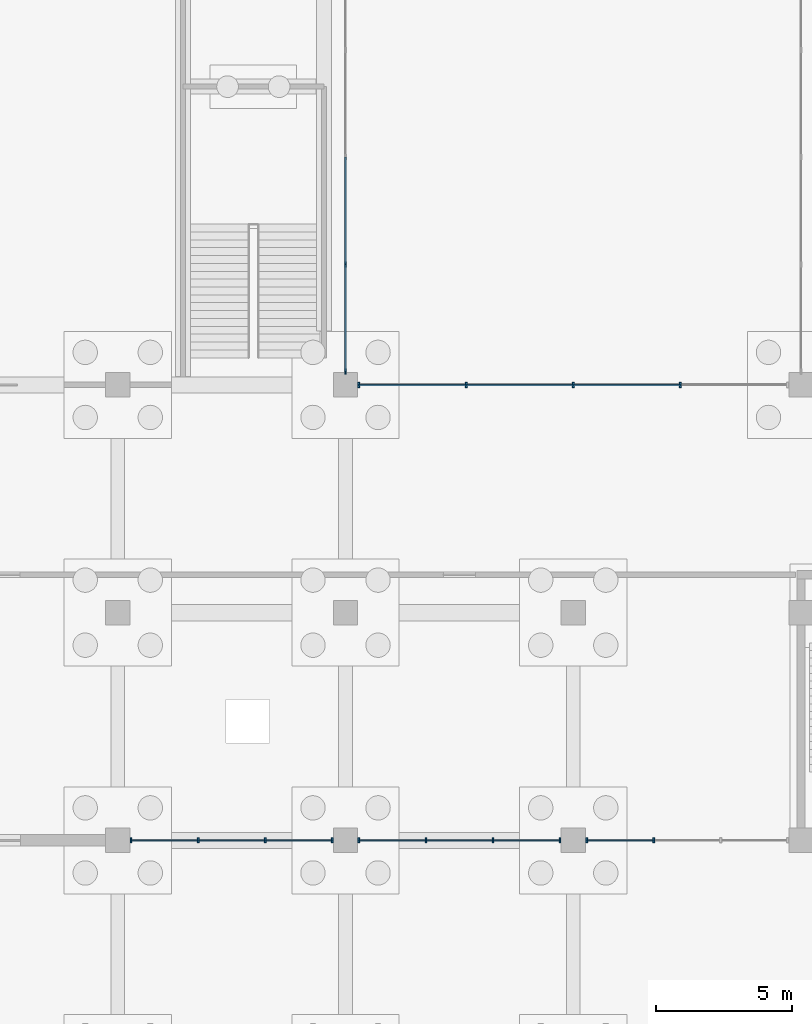
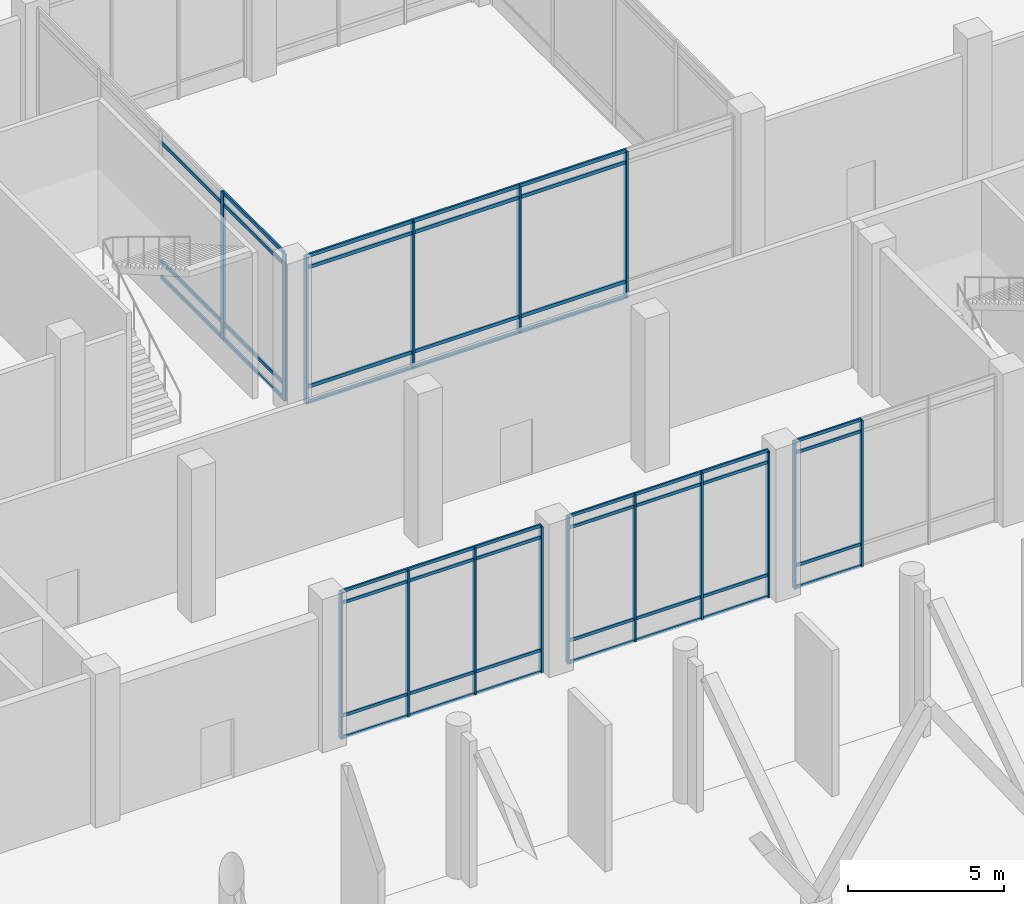
# One storey, part 16 of 72: 63 members, 5 elements without a shape of their own.
"""IFC4 building model written with IfcOpenShell, lengths in metres."""

from ifc_helpers import new_model, si_unit, direction, frame, origin, origin_2d, place, context, subcontext, project, spatial, rectangle, extrude, material, layer, layer_set, material_profile, profile_set, type_object, element, aggregate, save


model = new_model("IFC4")

# Units and contexts
model_context = context("Model", 3, precision=1e-05, world=origin(), true_north=direction((0.0, 1.0)))
body_context = subcontext(model_context, "Body", "Model", "MODEL_VIEW")
ifc_project = project(units=[si_unit("LENGTHUNIT", "METRE"), si_unit("AREAUNIT", "SQUARE_METRE"), si_unit("VOLUMEUNIT", "CUBIC_METRE"), si_unit("PLANEANGLEUNIT", "RADIAN"), si_unit("MASSUNIT", "GRAM", prefix="KILO")], contexts=[model_context])

# Site, building, storey
site_placement = place(None, origin())
site = spatial("IfcSite", under=ifc_project, at=site_placement, CompositionType="ELEMENT")
building_placement = place(site_placement, origin())
building = spatial("IfcBuilding", under=site, at=building_placement, Name="Qawsi Khor Wholesale Market", CompositionType="ELEMENT")
storey_placement = place(building_placement, origin())
storey = spatial("IfcBuildingStorey", under=building, at=storey_placement, Name="L00", CompositionType="ELEMENT", Elevation=0.0)

# Curtain wall, members
ifc_material = material(Name="Aluminium Anodised Bronze", Category="aluminium")
ifc_layer_1 = layer(ifc_material, 0.159912109375, Name="Aluminium Anodised Bronze")
ifc_layer_set_1 = layer_set([ifc_layer_1], Name="Aluminium Anodised Bronze")
curtain_wall_type_1 = type_object("IfcCurtainWallType", Name="Boulevard Arcade Glazed Curtain Wall CW-01", PredefinedType="NOTDEFINED", material=ifc_layer_set_1)
curtain_wall_1_placement = place(storey_placement, origin())
curtain_wall_1 = element("IfcCurtainWall", 1, at=curtain_wall_1_placement, inside=storey, type_object=curtain_wall_type_1, Name="Curtain wall CW-CW-01-L00-001", PredefinedType="NOTDEFINED")
ifc_material_profile_1 = material_profile(ifc_material, rectangle(XDim=0.06494140625, YDim=0.179931640625, at=origin_2d()), Name="ALU MULLION 65x180")
ifc_profile_set_1 = profile_set([ifc_material_profile_1], Name="Aluminium Anodised Bronze")
member_type_1 = type_object("IfcMemberType", Name="Curtain Wall Mullion CW-01 ALU MULLION 65x180", PredefinedType="MULLION", material=ifc_profile_set_1)
member_1_placement = place(storey_placement, frame((42.492431640625, 8.39990234375, -0.02001953125), z_axis=(0.0, 0.0, 1.0), x_axis=(1.0, 0.0, 0.0)))
member_1 = element("IfcMember", 2, at=member_1_placement, type_object=member_type_1, Name="Mullion CW-CW-01-L00-001-M00", PredefinedType="MULLION", context=body_context, shape_type="SweptSolid", body=[
    extrude(rectangle(XDim=0.06494140625, YDim=0.179931640625, at=origin_2d()), origin(), (0.0, 0.0, 1.0), 5.739990234375),
])
member_2_placement = place(storey_placement, frame((44.964111328125, 8.39990234375, -0.02001953125), z_axis=(0.0, 0.0, 1.0), x_axis=(1.0, 0.0, 0.0)))
member_2 = element("IfcMember", 3, at=member_2_placement, type_object=member_type_1, Name="Mullion CW-CW-01-L00-001-M01", PredefinedType="MULLION", context=body_context, shape_type="SweptSolid", body=[
    extrude(rectangle(XDim=0.06494140625, YDim=0.179931640625, at=origin_2d()), origin(), (0.0, 0.0, 1.0), 5.739990234375),
])
member_3_placement = place(storey_placement, frame((47.435791015625, 8.39990234375, -0.02001953125), z_axis=(0.0, 0.0, 1.0), x_axis=(1.0, 0.0, 0.0)))
member_3 = element("IfcMember", 4, at=member_3_placement, type_object=member_type_1, Name="Mullion CW-CW-01-L00-001-M02", PredefinedType="MULLION", context=body_context, shape_type="SweptSolid", body=[
    extrude(rectangle(XDim=0.06494140625, YDim=0.179931640625, at=origin_2d()), origin(), (0.0, 0.0, 1.0), 5.739990234375),
])
member_4_placement = place(storey_placement, frame((49.907470703125, 8.39990234375, -0.02001953125), z_axis=(0.0, 0.0, 1.0), x_axis=(1.0, 0.0, 0.0)))
member_4 = element("IfcMember", 5, at=member_4_placement, type_object=member_type_1, Name="Mullion CW-CW-01-L00-001-M03", PredefinedType="MULLION", context=body_context, shape_type="SweptSolid", body=[
    extrude(rectangle(XDim=0.06494140625, YDim=0.179931640625, at=origin_2d()), origin(), (0.0, 0.0, 1.0), 5.739990234375),
])

curtain_wall_2_placement = place(storey_placement, origin())
curtain_wall_2 = element("IfcCurtainWall", 6, at=curtain_wall_2_placement, inside=storey, type_object=curtain_wall_type_1, Name="Curtain wall CW-CW-01-L00-002", PredefinedType="NOTDEFINED")
member_5_placement = place(storey_placement, frame((50.892578125, 8.39990234375, -0.02001953125), z_axis=(0.0, 0.0, 1.0), x_axis=(1.0, 0.0, 0.0)))
member_5 = element("IfcMember", 7, at=member_5_placement, type_object=member_type_1, Name="Mullion CW-CW-01-L00-002-M00", PredefinedType="MULLION", context=body_context, shape_type="SweptSolid", body=[
    extrude(rectangle(XDim=0.06494140625, YDim=0.179931640625, at=origin_2d()), origin(), (0.0, 0.0, 1.0), 5.739990234375),
])
member_6_placement = place(storey_placement, frame((53.3642578125, 8.39990234375, -0.02001953125), z_axis=(0.0, 0.0, 1.0), x_axis=(1.0, 0.0, 0.0)))
member_6 = element("IfcMember", 8, at=member_6_placement, type_object=member_type_1, Name="Mullion CW-CW-01-L00-002-M01", PredefinedType="MULLION", context=body_context, shape_type="SweptSolid", body=[
    extrude(rectangle(XDim=0.06494140625, YDim=0.179931640625, at=origin_2d()), origin(), (0.0, 0.0, 1.0), 5.739990234375),
])
member_7_placement = place(storey_placement, frame((55.835693359375, 8.39990234375, -0.02001953125), z_axis=(0.0, 0.0, 1.0), x_axis=(1.0, 0.0, 0.0)))
member_7 = element("IfcMember", 9, at=member_7_placement, type_object=member_type_1, Name="Mullion CW-CW-01-L00-002-M02", PredefinedType="MULLION", context=body_context, shape_type="SweptSolid", body=[
    extrude(rectangle(XDim=0.06494140625, YDim=0.179931640625, at=origin_2d()), origin(), (0.0, 0.0, 1.0), 5.739990234375),
])
member_8_placement = place(storey_placement, frame((58.3076171875, 8.39990234375, -0.02001953125), z_axis=(0.0, 0.0, 1.0), x_axis=(1.0, 0.0, 0.0)))
member_8 = element("IfcMember", 10, at=member_8_placement, type_object=member_type_1, Name="Mullion CW-CW-01-L00-002-M03", PredefinedType="MULLION", context=body_context, shape_type="SweptSolid", body=[
    extrude(rectangle(XDim=0.06494140625, YDim=0.179931640625, at=origin_2d()), origin(), (0.0, 0.0, 1.0), 5.739990234375),
])

curtain_wall_3_placement = place(storey_placement, origin())
curtain_wall_3 = element("IfcCurtainWall", 11, at=curtain_wall_3_placement, inside=storey, type_object=curtain_wall_type_1, Name="Curtain wall CW-CW-01-L00-003", PredefinedType="NOTDEFINED")
member_9_placement = place(storey_placement, frame((59.29248046875, 8.39990234375, -0.02001953125), z_axis=(0.0, 0.0, 1.0), x_axis=(1.0, 0.0, 0.0)))
member_9 = element("IfcMember", 12, at=member_9_placement, type_object=member_type_1, Name="Mullion CW-CW-01-L00-003-M00", PredefinedType="MULLION", context=body_context, shape_type="SweptSolid", body=[
    extrude(rectangle(XDim=0.06494140625, YDim=0.179931640625, at=origin_2d()), origin(), (0.0, 0.0, 1.0), 5.739990234375),
])
member_10_placement = place(storey_placement, frame((61.76416015625, 8.39990234375, -0.02001953125), z_axis=(0.0, 0.0, 1.0), x_axis=(1.0, 0.0, 0.0)))
member_10 = element("IfcMember", 13, at=member_10_placement, type_object=member_type_1, Name="Mullion CW-CW-01-L00-003-M01", PredefinedType="MULLION", context=body_context, shape_type="SweptSolid", body=[
    extrude(rectangle(XDim=0.06494140625, YDim=0.179931640625, at=origin_2d()), origin(), (0.0, 0.0, 1.0), 5.739990234375),
])

ifc_layer_2 = layer(ifc_material, 0.179931640625, Name="Aluminium Anodised Bronze")
ifc_layer_set_2 = layer_set([ifc_layer_2], Name="Aluminium Anodised Bronze")
curtain_wall_type_2 = type_object("IfcCurtainWallType", Name="Atrium Full-Height Curtain Wall CW-02", PredefinedType="NOTDEFINED", material=ifc_layer_set_2)
curtain_wall_4_placement = place(storey_placement, origin())
curtain_wall_4 = element("IfcCurtainWall", 14, at=curtain_wall_4_placement, inside=storey, type_object=curtain_wall_type_2, Name="Curtain wall CW-CW-02-L00-011", PredefinedType="NOTDEFINED")
ifc_material_profile_2 = material_profile(ifc_material, rectangle(XDim=0.070068359375, YDim=0.199951171875, at=origin_2d()), Name="ALU MULLION 70x200")
ifc_profile_set_2 = profile_set([ifc_material_profile_2], Name="Aluminium Anodised Bronze")
member_type_2 = type_object("IfcMemberType", Name="Curtain Wall Mullion CW-02 ALU MULLION 70x200", PredefinedType="MULLION", material=ifc_profile_set_2)
member_11_placement = place(storey_placement, frame((50.89501953125, 25.199951171875, -0.02001953125), z_axis=(0.0, 0.0, 1.0), x_axis=(1.0, 0.0, 0.0)))
member_11 = element("IfcMember", 15, at=member_11_placement, type_object=member_type_2, Name="Mullion CW-CW-02-L00-011-M00", PredefinedType="MULLION", context=body_context, shape_type="SweptSolid", body=[
    extrude(rectangle(XDim=0.070068359375, YDim=0.199951171875, at=origin_2d()), origin(), (0.0, 0.0, 1.0), 5.739990234375),
])
member_12_placement = place(storey_placement, frame((54.847412109375, 25.199951171875, -0.02001953125), z_axis=(0.0, 0.0, 1.0), x_axis=(1.0, 0.0, 0.0)))
member_12 = element("IfcMember", 16, at=member_12_placement, type_object=member_type_2, Name="Mullion CW-CW-02-L00-011-M01", PredefinedType="MULLION", context=body_context, shape_type="SweptSolid", body=[
    extrude(rectangle(XDim=0.070068359375, YDim=0.199951171875, at=origin_2d()), origin(), (0.0, 0.0, 1.0), 5.739990234375),
])
member_13_placement = place(storey_placement, frame((58.800048828125, 25.199951171875, -0.02001953125), z_axis=(0.0, 0.0, 1.0), x_axis=(1.0, 0.0, 0.0)))
member_13 = element("IfcMember", 17, at=member_13_placement, type_object=member_type_2, Name="Mullion CW-CW-02-L00-011-M02", PredefinedType="MULLION", context=body_context, shape_type="SweptSolid", body=[
    extrude(rectangle(XDim=0.070068359375, YDim=0.199951171875, at=origin_2d()), origin(), (0.0, 0.0, 1.0), 5.739990234375),
])
member_14_placement = place(storey_placement, frame((62.75244140625, 25.199951171875, -0.02001953125), z_axis=(0.0, 0.0, 1.0), x_axis=(1.0, 0.0, 0.0)))
member_14 = element("IfcMember", 18, at=member_14_placement, type_object=member_type_2, Name="Mullion CW-CW-02-L00-011-M03", PredefinedType="MULLION", context=body_context, shape_type="SweptSolid", body=[
    extrude(rectangle(XDim=0.070068359375, YDim=0.199951171875, at=origin_2d()), origin(), (0.0, 0.0, 1.0), 5.739990234375),
])

curtain_wall_5_placement = place(storey_placement, origin())
curtain_wall_5 = element("IfcCurtainWall", 19, at=curtain_wall_5_placement, inside=storey, type_object=curtain_wall_type_2, Name="Curtain wall CW-CW-02-L00-014", PredefinedType="NOTDEFINED")
member_15_placement = place(storey_placement, frame((50.39990234375, 25.695068359375, -0.02001953125), z_axis=(0.0, 0.0, 1.0), x_axis=(1.0, 0.0, 0.0)))
member_15 = element("IfcMember", 20, at=member_15_placement, type_object=member_type_2, Name="Mullion CW-CW-02-L00-014-M00", PredefinedType="MULLION", context=body_context, shape_type="SweptSolid", body=[
    extrude(rectangle(XDim=0.070068359375, YDim=0.199951171875, at=origin_2d()), origin(), (0.0, 0.0, 1.0), 5.739990234375),
])
member_16_placement = place(storey_placement, frame((50.39990234375, 29.6474609375, -0.02001953125), z_axis=(0.0, 0.0, 1.0), x_axis=(1.0, 0.0, 0.0)))
member_16 = element("IfcMember", 21, at=member_16_placement, type_object=member_type_2, Name="Mullion CW-CW-02-L00-014-M01", PredefinedType="MULLION", context=body_context, shape_type="SweptSolid", body=[
    extrude(rectangle(XDim=0.070068359375, YDim=0.199951171875, at=origin_2d()), origin(), (0.0, 0.0, 1.0), 5.739990234375),
])

# Member
ifc_material_profile_3 = material_profile(ifc_material, rectangle(XDim=0.06005859375, YDim=0.1201171875, at=origin_2d()), Name="ALU TRANSOM 60x120")
ifc_profile_set_3 = profile_set([ifc_material_profile_3], Name="Aluminium Anodised Bronze")
member_type_3 = type_object("IfcMemberType", Name="Curtain Wall Transom CW-01 ALU TRANSOM 60x120", PredefinedType="USERDEFINED", material=ifc_profile_set_3)
member_17_placement = place(storey_placement, frame((42.492431640625, 8.39990234375, 0.0), z_axis=(1.0, 0.0, 0.0), x_axis=(0.0, 1.0, 0.0)))
member_17 = element("IfcMember", 22, at=member_17_placement, type_object=member_type_3, Name="Transom CW-CW-01-L00-001-T0_00", ObjectType="TRANSOM", PredefinedType="USERDEFINED", context=body_context, shape_type="SweptSolid", body=[
    extrude(rectangle(XDim=0.06005859375, YDim=0.1201171875, at=origin_2d()), origin(), (0.0, 0.0, 1.0), 2.4716796875),
])

member_18_placement = place(storey_placement, frame((44.964111328125, 8.39990234375, 0.0), z_axis=(1.0, 0.0, 0.0), x_axis=(0.0, 1.0, 0.0)))
member_18 = element("IfcMember", 23, at=member_18_placement, type_object=member_type_3, Name="Transom CW-CW-01-L00-001-T0_01", ObjectType="TRANSOM", PredefinedType="USERDEFINED", context=body_context, shape_type="SweptSolid", body=[
    extrude(rectangle(XDim=0.06005859375, YDim=0.1201171875, at=origin_2d()), origin(), (0.0, 0.0, 1.0), 2.4716796875),
])

member_19_placement = place(storey_placement, frame((47.435791015625, 8.39990234375, 0.0), z_axis=(1.0, 0.0, 0.0), x_axis=(0.0, 1.0, 0.0)))
member_19 = element("IfcMember", 24, at=member_19_placement, type_object=member_type_3, Name="Transom CW-CW-01-L00-001-T0_02", ObjectType="TRANSOM", PredefinedType="USERDEFINED", context=body_context, shape_type="SweptSolid", body=[
    extrude(rectangle(XDim=0.06005859375, YDim=0.1201171875, at=origin_2d()), origin(), (0.0, 0.0, 1.0), 2.4716796875),
])

member_20_placement = place(storey_placement, frame((42.492431640625, 8.39990234375, 0.85009765625), z_axis=(1.0, 0.0, 0.0), x_axis=(0.0, 1.0, 0.0)))
member_20 = element("IfcMember", 25, at=member_20_placement, type_object=member_type_3, Name="Transom CW-CW-01-L00-001-T1_00", ObjectType="TRANSOM", PredefinedType="USERDEFINED", context=body_context, shape_type="SweptSolid", body=[
    extrude(rectangle(XDim=0.06005859375, YDim=0.1201171875, at=origin_2d()), origin(), (0.0, 0.0, 1.0), 2.4716796875),
])

member_21_placement = place(storey_placement, frame((44.964111328125, 8.39990234375, 0.85009765625), z_axis=(1.0, 0.0, 0.0), x_axis=(0.0, 1.0, 0.0)))
member_21 = element("IfcMember", 26, at=member_21_placement, type_object=member_type_3, Name="Transom CW-CW-01-L00-001-T1_01", ObjectType="TRANSOM", PredefinedType="USERDEFINED", context=body_context, shape_type="SweptSolid", body=[
    extrude(rectangle(XDim=0.06005859375, YDim=0.1201171875, at=origin_2d()), origin(), (0.0, 0.0, 1.0), 2.4716796875),
])

member_22_placement = place(storey_placement, frame((47.435791015625, 8.39990234375, 0.85009765625), z_axis=(1.0, 0.0, 0.0), x_axis=(0.0, 1.0, 0.0)))
member_22 = element("IfcMember", 27, at=member_22_placement, type_object=member_type_3, Name="Transom CW-CW-01-L00-001-T1_02", ObjectType="TRANSOM", PredefinedType="USERDEFINED", context=body_context, shape_type="SweptSolid", body=[
    extrude(rectangle(XDim=0.06005859375, YDim=0.1201171875, at=origin_2d()), origin(), (0.0, 0.0, 1.0), 2.4716796875),
])

member_23_placement = place(storey_placement, frame((42.492431640625, 8.39990234375, 5.27001953125), z_axis=(1.0, 0.0, 0.0), x_axis=(0.0, 1.0, 0.0)))
member_23 = element("IfcMember", 28, at=member_23_placement, type_object=member_type_3, Name="Transom CW-CW-01-L00-001-T2_00", ObjectType="TRANSOM", PredefinedType="USERDEFINED", context=body_context, shape_type="SweptSolid", body=[
    extrude(rectangle(XDim=0.06005859375, YDim=0.1201171875, at=origin_2d()), origin(), (0.0, 0.0, 1.0), 2.4716796875),
])

member_24_placement = place(storey_placement, frame((44.964111328125, 8.39990234375, 5.27001953125), z_axis=(1.0, 0.0, 0.0), x_axis=(0.0, 1.0, 0.0)))
member_24 = element("IfcMember", 29, at=member_24_placement, type_object=member_type_3, Name="Transom CW-CW-01-L00-001-T2_01", ObjectType="TRANSOM", PredefinedType="USERDEFINED", context=body_context, shape_type="SweptSolid", body=[
    extrude(rectangle(XDim=0.06005859375, YDim=0.1201171875, at=origin_2d()), origin(), (0.0, 0.0, 1.0), 2.4716796875),
])

member_25_placement = place(storey_placement, frame((47.435791015625, 8.39990234375, 5.27001953125), z_axis=(1.0, 0.0, 0.0), x_axis=(0.0, 1.0, 0.0)))
member_25 = element("IfcMember", 30, at=member_25_placement, type_object=member_type_3, Name="Transom CW-CW-01-L00-001-T2_02", ObjectType="TRANSOM", PredefinedType="USERDEFINED", context=body_context, shape_type="SweptSolid", body=[
    extrude(rectangle(XDim=0.06005859375, YDim=0.1201171875, at=origin_2d()), origin(), (0.0, 0.0, 1.0), 2.4716796875),
])

member_26_placement = place(storey_placement, frame((42.492431640625, 8.39990234375, 5.719970703125), z_axis=(1.0, 0.0, 0.0), x_axis=(0.0, 1.0, 0.0)))
member_26 = element("IfcMember", 31, at=member_26_placement, type_object=member_type_3, Name="Transom CW-CW-01-L00-001-T3_00", ObjectType="TRANSOM", PredefinedType="USERDEFINED", context=body_context, shape_type="SweptSolid", body=[
    extrude(rectangle(XDim=0.06005859375, YDim=0.1201171875, at=origin_2d()), origin(), (0.0, 0.0, 1.0), 2.4716796875),
])

member_27_placement = place(storey_placement, frame((44.964111328125, 8.39990234375, 5.719970703125), z_axis=(1.0, 0.0, 0.0), x_axis=(0.0, 1.0, 0.0)))
member_27 = element("IfcMember", 32, at=member_27_placement, type_object=member_type_3, Name="Transom CW-CW-01-L00-001-T3_01", ObjectType="TRANSOM", PredefinedType="USERDEFINED", context=body_context, shape_type="SweptSolid", body=[
    extrude(rectangle(XDim=0.06005859375, YDim=0.1201171875, at=origin_2d()), origin(), (0.0, 0.0, 1.0), 2.4716796875),
])

member_28_placement = place(storey_placement, frame((47.435791015625, 8.39990234375, 5.719970703125), z_axis=(1.0, 0.0, 0.0), x_axis=(0.0, 1.0, 0.0)))
member_28 = element("IfcMember", 33, at=member_28_placement, type_object=member_type_3, Name="Transom CW-CW-01-L00-001-T3_02", ObjectType="TRANSOM", PredefinedType="USERDEFINED", context=body_context, shape_type="SweptSolid", body=[
    extrude(rectangle(XDim=0.06005859375, YDim=0.1201171875, at=origin_2d()), origin(), (0.0, 0.0, 1.0), 2.4716796875),
])

aggregate(curtain_wall_1, [member_1, member_2, member_3, member_4, member_17, member_18, member_19, member_20, member_21, member_22, member_23, member_24, member_25, member_26, member_27, member_28])

member_29_placement = place(storey_placement, frame((50.892578125, 8.39990234375, 0.0), z_axis=(1.0, 0.0, 0.0), x_axis=(0.0, 1.0, 0.0)))
member_29 = element("IfcMember", 34, at=member_29_placement, type_object=member_type_3, Name="Transom CW-CW-01-L00-002-T0_00", ObjectType="TRANSOM", PredefinedType="USERDEFINED", context=body_context, shape_type="SweptSolid", body=[
    extrude(rectangle(XDim=0.06005859375, YDim=0.1201171875, at=origin_2d()), origin(), (0.0, 0.0, 1.0), 2.4716796875),
])

member_30_placement = place(storey_placement, frame((53.3642578125, 8.39990234375, 0.0), z_axis=(1.0, 0.0, 0.0), x_axis=(0.0, 1.0, 0.0)))
member_30 = element("IfcMember", 35, at=member_30_placement, type_object=member_type_3, Name="Transom CW-CW-01-L00-002-T0_01", ObjectType="TRANSOM", PredefinedType="USERDEFINED", context=body_context, shape_type="SweptSolid", body=[
    extrude(rectangle(XDim=0.06005859375, YDim=0.1201171875, at=origin_2d()), origin(), (0.0, 0.0, 1.0), 2.471435546875),
])

member_31_placement = place(storey_placement, frame((55.835693359375, 8.39990234375, 0.0), z_axis=(1.0, 0.0, 0.0), x_axis=(0.0, 1.0, 0.0)))
member_31 = element("IfcMember", 36, at=member_31_placement, type_object=member_type_3, Name="Transom CW-CW-01-L00-002-T0_02", ObjectType="TRANSOM", PredefinedType="USERDEFINED", context=body_context, shape_type="SweptSolid", body=[
    extrude(rectangle(XDim=0.06005859375, YDim=0.1201171875, at=origin_2d()), origin(), (0.0, 0.0, 1.0), 2.471923828125),
])

member_32_placement = place(storey_placement, frame((50.892578125, 8.39990234375, 0.85009765625), z_axis=(1.0, 0.0, 0.0), x_axis=(0.0, 1.0, 0.0)))
member_32 = element("IfcMember", 37, at=member_32_placement, type_object=member_type_3, Name="Transom CW-CW-01-L00-002-T1_00", ObjectType="TRANSOM", PredefinedType="USERDEFINED", context=body_context, shape_type="SweptSolid", body=[
    extrude(rectangle(XDim=0.06005859375, YDim=0.1201171875, at=origin_2d()), origin(), (0.0, 0.0, 1.0), 2.4716796875),
])

member_33_placement = place(storey_placement, frame((53.3642578125, 8.39990234375, 0.85009765625), z_axis=(1.0, 0.0, 0.0), x_axis=(0.0, 1.0, 0.0)))
member_33 = element("IfcMember", 38, at=member_33_placement, type_object=member_type_3, Name="Transom CW-CW-01-L00-002-T1_01", ObjectType="TRANSOM", PredefinedType="USERDEFINED", context=body_context, shape_type="SweptSolid", body=[
    extrude(rectangle(XDim=0.06005859375, YDim=0.1201171875, at=origin_2d()), origin(), (0.0, 0.0, 1.0), 2.471435546875),
])

member_34_placement = place(storey_placement, frame((55.835693359375, 8.39990234375, 0.85009765625), z_axis=(1.0, 0.0, 0.0), x_axis=(0.0, 1.0, 0.0)))
member_34 = element("IfcMember", 39, at=member_34_placement, type_object=member_type_3, Name="Transom CW-CW-01-L00-002-T1_02", ObjectType="TRANSOM", PredefinedType="USERDEFINED", context=body_context, shape_type="SweptSolid", body=[
    extrude(rectangle(XDim=0.06005859375, YDim=0.1201171875, at=origin_2d()), origin(), (0.0, 0.0, 1.0), 2.471923828125),
])

member_35_placement = place(storey_placement, frame((50.892578125, 8.39990234375, 5.27001953125), z_axis=(1.0, 0.0, 0.0), x_axis=(0.0, 1.0, 0.0)))
member_35 = element("IfcMember", 40, at=member_35_placement, type_object=member_type_3, Name="Transom CW-CW-01-L00-002-T2_00", ObjectType="TRANSOM", PredefinedType="USERDEFINED", context=body_context, shape_type="SweptSolid", body=[
    extrude(rectangle(XDim=0.06005859375, YDim=0.1201171875, at=origin_2d()), origin(), (0.0, 0.0, 1.0), 2.4716796875),
])

member_36_placement = place(storey_placement, frame((53.3642578125, 8.39990234375, 5.27001953125), z_axis=(1.0, 0.0, 0.0), x_axis=(0.0, 1.0, 0.0)))
member_36 = element("IfcMember", 41, at=member_36_placement, type_object=member_type_3, Name="Transom CW-CW-01-L00-002-T2_01", ObjectType="TRANSOM", PredefinedType="USERDEFINED", context=body_context, shape_type="SweptSolid", body=[
    extrude(rectangle(XDim=0.06005859375, YDim=0.1201171875, at=origin_2d()), origin(), (0.0, 0.0, 1.0), 2.471435546875),
])

member_37_placement = place(storey_placement, frame((55.835693359375, 8.39990234375, 5.27001953125), z_axis=(1.0, 0.0, 0.0), x_axis=(0.0, 1.0, 0.0)))
member_37 = element("IfcMember", 42, at=member_37_placement, type_object=member_type_3, Name="Transom CW-CW-01-L00-002-T2_02", ObjectType="TRANSOM", PredefinedType="USERDEFINED", context=body_context, shape_type="SweptSolid", body=[
    extrude(rectangle(XDim=0.06005859375, YDim=0.1201171875, at=origin_2d()), origin(), (0.0, 0.0, 1.0), 2.471923828125),
])

member_38_placement = place(storey_placement, frame((50.892578125, 8.39990234375, 5.719970703125), z_axis=(1.0, 0.0, 0.0), x_axis=(0.0, 1.0, 0.0)))
member_38 = element("IfcMember", 43, at=member_38_placement, type_object=member_type_3, Name="Transom CW-CW-01-L00-002-T3_00", ObjectType="TRANSOM", PredefinedType="USERDEFINED", context=body_context, shape_type="SweptSolid", body=[
    extrude(rectangle(XDim=0.06005859375, YDim=0.1201171875, at=origin_2d()), origin(), (0.0, 0.0, 1.0), 2.4716796875),
])

member_39_placement = place(storey_placement, frame((53.3642578125, 8.39990234375, 5.719970703125), z_axis=(1.0, 0.0, 0.0), x_axis=(0.0, 1.0, 0.0)))
member_39 = element("IfcMember", 44, at=member_39_placement, type_object=member_type_3, Name="Transom CW-CW-01-L00-002-T3_01", ObjectType="TRANSOM", PredefinedType="USERDEFINED", context=body_context, shape_type="SweptSolid", body=[
    extrude(rectangle(XDim=0.06005859375, YDim=0.1201171875, at=origin_2d()), origin(), (0.0, 0.0, 1.0), 2.471435546875),
])

member_40_placement = place(storey_placement, frame((55.835693359375, 8.39990234375, 5.719970703125), z_axis=(1.0, 0.0, 0.0), x_axis=(0.0, 1.0, 0.0)))
member_40 = element("IfcMember", 45, at=member_40_placement, type_object=member_type_3, Name="Transom CW-CW-01-L00-002-T3_02", ObjectType="TRANSOM", PredefinedType="USERDEFINED", context=body_context, shape_type="SweptSolid", body=[
    extrude(rectangle(XDim=0.06005859375, YDim=0.1201171875, at=origin_2d()), origin(), (0.0, 0.0, 1.0), 2.471923828125),
])

aggregate(curtain_wall_2, [member_5, member_6, member_7, member_8, member_29, member_30, member_31, member_32, member_33, member_34, member_35, member_36, member_37, member_38, member_39, member_40])

member_41_placement = place(storey_placement, frame((59.29248046875, 8.39990234375, 0.0), z_axis=(1.0, 0.0, 0.0), x_axis=(0.0, 1.0, 0.0)))
member_41 = element("IfcMember", 46, at=member_41_placement, type_object=member_type_3, Name="Transom CW-CW-01-L00-003-T0_00", ObjectType="TRANSOM", PredefinedType="USERDEFINED", context=body_context, shape_type="SweptSolid", body=[
    extrude(rectangle(XDim=0.06005859375, YDim=0.1201171875, at=origin_2d()), origin(), (0.0, 0.0, 1.0), 2.4716796875),
])

member_42_placement = place(storey_placement, frame((59.29248046875, 8.39990234375, 0.85009765625), z_axis=(1.0, 0.0, 0.0), x_axis=(0.0, 1.0, 0.0)))
member_42 = element("IfcMember", 47, at=member_42_placement, type_object=member_type_3, Name="Transom CW-CW-01-L00-003-T1_00", ObjectType="TRANSOM", PredefinedType="USERDEFINED", context=body_context, shape_type="SweptSolid", body=[
    extrude(rectangle(XDim=0.06005859375, YDim=0.1201171875, at=origin_2d()), origin(), (0.0, 0.0, 1.0), 2.4716796875),
])

member_43_placement = place(storey_placement, frame((59.29248046875, 8.39990234375, 5.27001953125), z_axis=(1.0, 0.0, 0.0), x_axis=(0.0, 1.0, 0.0)))
member_43 = element("IfcMember", 48, at=member_43_placement, type_object=member_type_3, Name="Transom CW-CW-01-L00-003-T2_00", ObjectType="TRANSOM", PredefinedType="USERDEFINED", context=body_context, shape_type="SweptSolid", body=[
    extrude(rectangle(XDim=0.06005859375, YDim=0.1201171875, at=origin_2d()), origin(), (0.0, 0.0, 1.0), 2.4716796875),
])

member_44_placement = place(storey_placement, frame((59.29248046875, 8.39990234375, 5.719970703125), z_axis=(1.0, 0.0, 0.0), x_axis=(0.0, 1.0, 0.0)))
member_44 = element("IfcMember", 49, at=member_44_placement, type_object=member_type_3, Name="Transom CW-CW-01-L00-003-T3_00", ObjectType="TRANSOM", PredefinedType="USERDEFINED", context=body_context, shape_type="SweptSolid", body=[
    extrude(rectangle(XDim=0.06005859375, YDim=0.1201171875, at=origin_2d()), origin(), (0.0, 0.0, 1.0), 2.4716796875),
])

aggregate(curtain_wall_3, [member_9, member_10, member_41, member_42, member_43, member_44])

ifc_material_profile_4 = material_profile(ifc_material, rectangle(XDim=0.06494140625, YDim=0.139892578125, at=origin_2d()), Name="ALU TRANSOM 65x140")
ifc_profile_set_4 = profile_set([ifc_material_profile_4], Name="Aluminium Anodised Bronze")
member_type_4 = type_object("IfcMemberType", Name="Curtain Wall Transom CW-02 ALU TRANSOM 65x140", PredefinedType="USERDEFINED", material=ifc_profile_set_4)
member_45_placement = place(storey_placement, frame((50.89501953125, 25.199951171875, 0.0), z_axis=(1.0, 0.0, 0.0), x_axis=(0.0, 1.0, 0.0)))
member_45 = element("IfcMember", 50, at=member_45_placement, type_object=member_type_4, Name="Transom CW-CW-02-L00-011-T0_00", ObjectType="TRANSOM", PredefinedType="USERDEFINED", context=body_context, shape_type="SweptSolid", body=[
    extrude(rectangle(XDim=0.06494140625, YDim=0.139892578125, at=origin_2d()), origin(), (0.0, 0.0, 1.0), 3.952392578125),
])

member_46_placement = place(storey_placement, frame((54.847412109375, 25.199951171875, 0.0), z_axis=(1.0, 0.0, 0.0), x_axis=(0.0, 1.0, 0.0)))
member_46 = element("IfcMember", 51, at=member_46_placement, type_object=member_type_4, Name="Transom CW-CW-02-L00-011-T0_01", ObjectType="TRANSOM", PredefinedType="USERDEFINED", context=body_context, shape_type="SweptSolid", body=[
    extrude(rectangle(XDim=0.06494140625, YDim=0.139892578125, at=origin_2d()), origin(), (0.0, 0.0, 1.0), 3.95263671875),
])

member_47_placement = place(storey_placement, frame((58.800048828125, 25.199951171875, 0.0), z_axis=(1.0, 0.0, 0.0), x_axis=(0.0, 1.0, 0.0)))
member_47 = element("IfcMember", 52, at=member_47_placement, type_object=member_type_4, Name="Transom CW-CW-02-L00-011-T0_02", ObjectType="TRANSOM", PredefinedType="USERDEFINED", context=body_context, shape_type="SweptSolid", body=[
    extrude(rectangle(XDim=0.06494140625, YDim=0.139892578125, at=origin_2d()), origin(), (0.0, 0.0, 1.0), 3.952392578125),
])

member_48_placement = place(storey_placement, frame((50.89501953125, 25.199951171875, 0.60009765625), z_axis=(1.0, 0.0, 0.0), x_axis=(0.0, 1.0, 0.0)))
member_48 = element("IfcMember", 53, at=member_48_placement, type_object=member_type_4, Name="Transom CW-CW-02-L00-011-T1_00", ObjectType="TRANSOM", PredefinedType="USERDEFINED", context=body_context, shape_type="SweptSolid", body=[
    extrude(rectangle(XDim=0.06494140625, YDim=0.139892578125, at=origin_2d()), origin(), (0.0, 0.0, 1.0), 3.952392578125),
])

member_49_placement = place(storey_placement, frame((54.847412109375, 25.199951171875, 0.60009765625), z_axis=(1.0, 0.0, 0.0), x_axis=(0.0, 1.0, 0.0)))
member_49 = element("IfcMember", 54, at=member_49_placement, type_object=member_type_4, Name="Transom CW-CW-02-L00-011-T1_01", ObjectType="TRANSOM", PredefinedType="USERDEFINED", context=body_context, shape_type="SweptSolid", body=[
    extrude(rectangle(XDim=0.06494140625, YDim=0.139892578125, at=origin_2d()), origin(), (0.0, 0.0, 1.0), 3.95263671875),
])

member_50_placement = place(storey_placement, frame((58.800048828125, 25.199951171875, 0.60009765625), z_axis=(1.0, 0.0, 0.0), x_axis=(0.0, 1.0, 0.0)))
member_50 = element("IfcMember", 55, at=member_50_placement, type_object=member_type_4, Name="Transom CW-CW-02-L00-011-T1_02", ObjectType="TRANSOM", PredefinedType="USERDEFINED", context=body_context, shape_type="SweptSolid", body=[
    extrude(rectangle(XDim=0.06494140625, YDim=0.139892578125, at=origin_2d()), origin(), (0.0, 0.0, 1.0), 3.952392578125),
])

member_51_placement = place(storey_placement, frame((50.89501953125, 25.199951171875, 5.27001953125), z_axis=(1.0, 0.0, 0.0), x_axis=(0.0, 1.0, 0.0)))
member_51 = element("IfcMember", 56, at=member_51_placement, type_object=member_type_4, Name="Transom CW-CW-02-L00-011-T2_00", ObjectType="TRANSOM", PredefinedType="USERDEFINED", context=body_context, shape_type="SweptSolid", body=[
    extrude(rectangle(XDim=0.06494140625, YDim=0.139892578125, at=origin_2d()), origin(), (0.0, 0.0, 1.0), 3.952392578125),
])

member_52_placement = place(storey_placement, frame((54.847412109375, 25.199951171875, 5.27001953125), z_axis=(1.0, 0.0, 0.0), x_axis=(0.0, 1.0, 0.0)))
member_52 = element("IfcMember", 57, at=member_52_placement, type_object=member_type_4, Name="Transom CW-CW-02-L00-011-T2_01", ObjectType="TRANSOM", PredefinedType="USERDEFINED", context=body_context, shape_type="SweptSolid", body=[
    extrude(rectangle(XDim=0.06494140625, YDim=0.139892578125, at=origin_2d()), origin(), (0.0, 0.0, 1.0), 3.95263671875),
])

member_53_placement = place(storey_placement, frame((58.800048828125, 25.199951171875, 5.27001953125), z_axis=(1.0, 0.0, 0.0), x_axis=(0.0, 1.0, 0.0)))
member_53 = element("IfcMember", 58, at=member_53_placement, type_object=member_type_4, Name="Transom CW-CW-02-L00-011-T2_02", ObjectType="TRANSOM", PredefinedType="USERDEFINED", context=body_context, shape_type="SweptSolid", body=[
    extrude(rectangle(XDim=0.06494140625, YDim=0.139892578125, at=origin_2d()), origin(), (0.0, 0.0, 1.0), 3.952392578125),
])

member_54_placement = place(storey_placement, frame((50.89501953125, 25.199951171875, 5.719970703125), z_axis=(1.0, 0.0, 0.0), x_axis=(0.0, 1.0, 0.0)))
member_54 = element("IfcMember", 59, at=member_54_placement, type_object=member_type_4, Name="Transom CW-CW-02-L00-011-T3_00", ObjectType="TRANSOM", PredefinedType="USERDEFINED", context=body_context, shape_type="SweptSolid", body=[
    extrude(rectangle(XDim=0.06494140625, YDim=0.139892578125, at=origin_2d()), origin(), (0.0, 0.0, 1.0), 3.952392578125),
])

member_55_placement = place(storey_placement, frame((54.847412109375, 25.199951171875, 5.719970703125), z_axis=(1.0, 0.0, 0.0), x_axis=(0.0, 1.0, 0.0)))
member_55 = element("IfcMember", 60, at=member_55_placement, type_object=member_type_4, Name="Transom CW-CW-02-L00-011-T3_01", ObjectType="TRANSOM", PredefinedType="USERDEFINED", context=body_context, shape_type="SweptSolid", body=[
    extrude(rectangle(XDim=0.06494140625, YDim=0.139892578125, at=origin_2d()), origin(), (0.0, 0.0, 1.0), 3.95263671875),
])

member_56_placement = place(storey_placement, frame((58.800048828125, 25.199951171875, 5.719970703125), z_axis=(1.0, 0.0, 0.0), x_axis=(0.0, 1.0, 0.0)))
member_56 = element("IfcMember", 61, at=member_56_placement, type_object=member_type_4, Name="Transom CW-CW-02-L00-011-T3_02", ObjectType="TRANSOM", PredefinedType="USERDEFINED", context=body_context, shape_type="SweptSolid", body=[
    extrude(rectangle(XDim=0.06494140625, YDim=0.139892578125, at=origin_2d()), origin(), (0.0, 0.0, 1.0), 3.952392578125),
])

aggregate(curtain_wall_4, [member_11, member_12, member_13, member_14, member_45, member_46, member_47, member_48, member_49, member_50, member_51, member_52, member_53, member_54, member_55, member_56])

member_57_placement = place(storey_placement, frame((50.39990234375, 25.695068359375, 0.0), z_axis=(0.0, 1.0, 0.0), x_axis=(-1.0, 0.0, 0.0)))
member_57 = element("IfcMember", 62, at=member_57_placement, type_object=member_type_4, Name="Transom CW-CW-02-L00-014-T0_00", ObjectType="TRANSOM", PredefinedType="USERDEFINED", context=body_context, shape_type="SweptSolid", body=[
    extrude(rectangle(XDim=0.06494140625, YDim=0.139892578125, at=origin_2d()), origin(), (0.0, 0.0, 1.0), 3.952392578125),
])

member_58_placement = place(storey_placement, frame((50.39990234375, 29.6474609375, 0.0), z_axis=(0.0, 1.0, 0.0), x_axis=(-1.0, 0.0, 0.0)))
member_58 = element("IfcMember", 63, at=member_58_placement, type_object=member_type_4, Name="Transom CW-CW-02-L00-014-T0_01", ObjectType="TRANSOM", PredefinedType="USERDEFINED", context=body_context, shape_type="SweptSolid", body=[
    extrude(rectangle(XDim=0.06494140625, YDim=0.139892578125, at=origin_2d()), origin(), (0.0, 0.0, 1.0), 3.95263671875),
])

member_59_placement = place(storey_placement, frame((50.39990234375, 25.695068359375, 0.60009765625), z_axis=(0.0, 1.0, 0.0), x_axis=(-1.0, 0.0, 0.0)))
member_59 = element("IfcMember", 64, at=member_59_placement, type_object=member_type_4, Name="Transom CW-CW-02-L00-014-T1_00", ObjectType="TRANSOM", PredefinedType="USERDEFINED", context=body_context, shape_type="SweptSolid", body=[
    extrude(rectangle(XDim=0.06494140625, YDim=0.139892578125, at=origin_2d()), origin(), (0.0, 0.0, 1.0), 3.952392578125),
])

member_60_placement = place(storey_placement, frame((50.39990234375, 29.6474609375, 0.60009765625), z_axis=(0.0, 1.0, 0.0), x_axis=(-1.0, 0.0, 0.0)))
member_60 = element("IfcMember", 65, at=member_60_placement, type_object=member_type_4, Name="Transom CW-CW-02-L00-014-T1_01", ObjectType="TRANSOM", PredefinedType="USERDEFINED", context=body_context, shape_type="SweptSolid", body=[
    extrude(rectangle(XDim=0.06494140625, YDim=0.139892578125, at=origin_2d()), origin(), (0.0, 0.0, 1.0), 3.95263671875),
])

member_61_placement = place(storey_placement, frame((50.39990234375, 25.695068359375, 5.27001953125), z_axis=(0.0, 1.0, 0.0), x_axis=(-1.0, 0.0, 0.0)))
member_61 = element("IfcMember", 66, at=member_61_placement, type_object=member_type_4, Name="Transom CW-CW-02-L00-014-T2_00", ObjectType="TRANSOM", PredefinedType="USERDEFINED", context=body_context, shape_type="SweptSolid", body=[
    extrude(rectangle(XDim=0.06494140625, YDim=0.139892578125, at=origin_2d()), origin(), (0.0, 0.0, 1.0), 3.952392578125),
])

member_62_placement = place(storey_placement, frame((50.39990234375, 29.6474609375, 5.27001953125), z_axis=(0.0, 1.0, 0.0), x_axis=(-1.0, 0.0, 0.0)))
member_62 = element("IfcMember", 67, at=member_62_placement, type_object=member_type_4, Name="Transom CW-CW-02-L00-014-T2_01", ObjectType="TRANSOM", PredefinedType="USERDEFINED", context=body_context, shape_type="SweptSolid", body=[
    extrude(rectangle(XDim=0.06494140625, YDim=0.139892578125, at=origin_2d()), origin(), (0.0, 0.0, 1.0), 3.95263671875),
])

member_63_placement = place(storey_placement, frame((50.39990234375, 25.695068359375, 5.719970703125), z_axis=(0.0, 1.0, 0.0), x_axis=(-1.0, 0.0, 0.0)))
member_63 = element("IfcMember", 68, at=member_63_placement, type_object=member_type_4, Name="Transom CW-CW-02-L00-014-T3_00", ObjectType="TRANSOM", PredefinedType="USERDEFINED", context=body_context, shape_type="SweptSolid", body=[
    extrude(rectangle(XDim=0.06494140625, YDim=0.139892578125, at=origin_2d()), origin(), (0.0, 0.0, 1.0), 3.952392578125),
])

aggregate(curtain_wall_5, [member_15, member_16, member_57, member_58, member_59, member_60, member_61, member_62, member_63])

save(model, "model.ifc")
